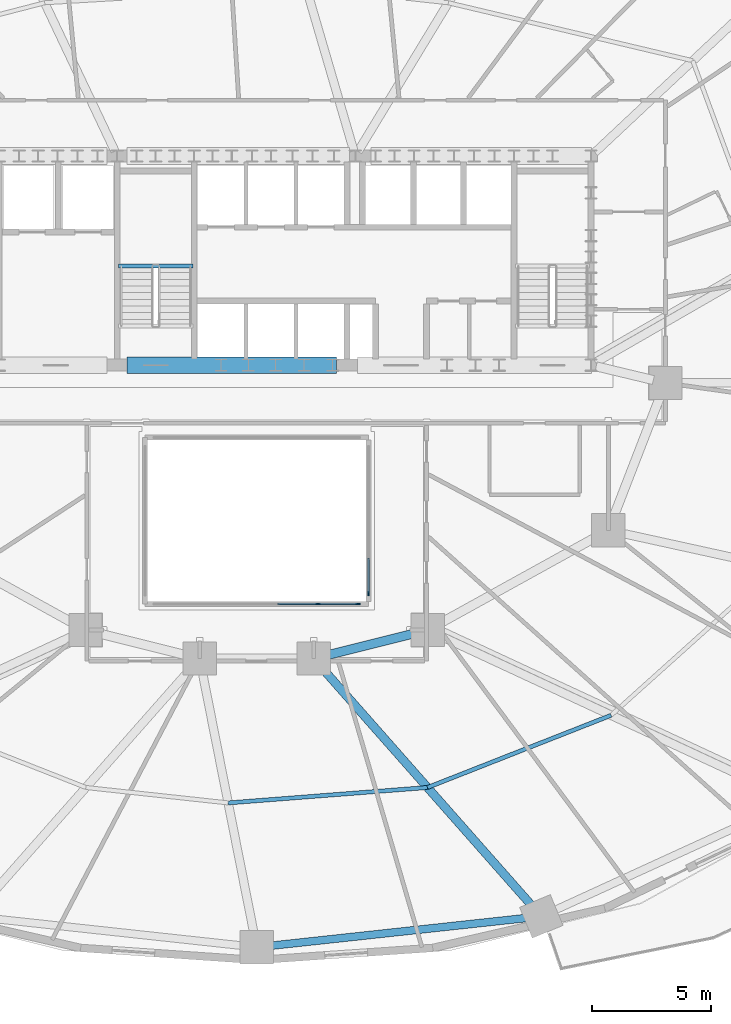
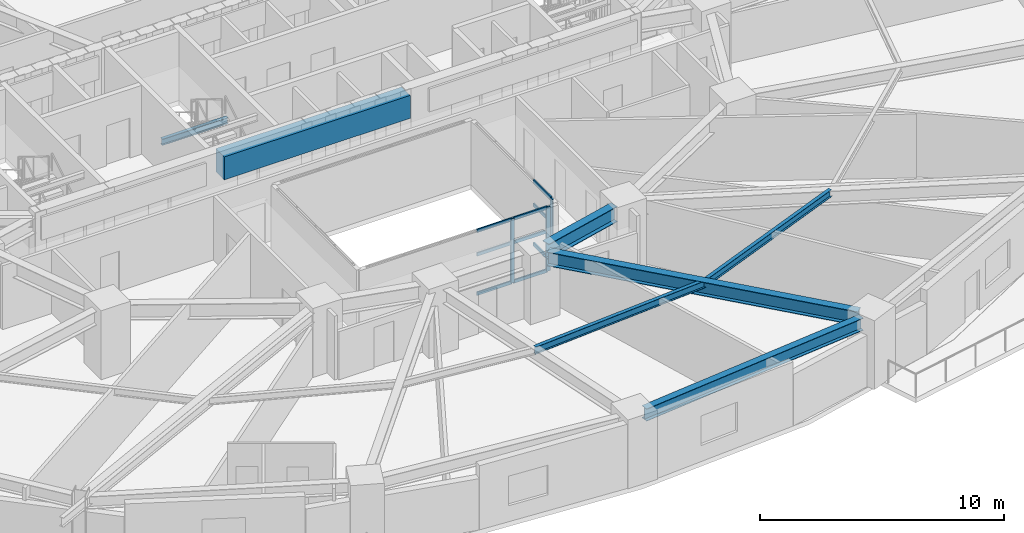
# One storey, part 5 of 17: 12 members, 7 beams, 2 elements without a shape of their own.
"""IFC4 building model written with IfcOpenShell, lengths in metres."""

import ifcopenshell
import ifcopenshell.guid

model = None  # the IFC model being written
_history = None  # IfcOwnerHistory: only IFC2X3 demands one
_inside = {}  # id of a spatial element -> (the spatial element, [elements in it])
_under = {}  # id of a project, library or spatial element -> (it, [spatial elements below it])
_declared = {}  # id of a project -> (the project, [libraries it declares])
_typed = {}  # id of a type object -> (the type object, [elements of that type])
_made_of = {}  # id of a material, layer set ... -> (it, [elements and type objects made of it])


def new_model(schema):
    """Start an empty IFC model of exactly this schema.

    Asked for "IFC4X3", IfcOpenShell would pick the latest addendum, in which some entities
    have other attributes; the version numbers below select the first issue.
    IFC2X3 requires an IfcOwnerHistory on every rooted entity: one is made here for all.
    """
    global model, _history
    if schema == "IFC4X3":
        model = ifcopenshell.file(schema_version=(4, 3, 0, 0))
    else:
        model = ifcopenshell.file(schema=schema)
    _inside.clear()
    _under.clear()
    _declared.clear()
    _typed.clear()
    _made_of.clear()
    _history = None
    if model.schema == "IFC2X3":
        org = make("IfcOrganization", Name="unknown")
        user = make(
            "IfcPersonAndOrganization",
            ThePerson=make("IfcPerson", FamilyName="unknown"),
            TheOrganization=org,
        )
        app = make(
            "IfcApplication",
            ApplicationDeveloper=org,
            Version="unknown",
            ApplicationFullName="unknown",
            ApplicationIdentifier="unknown",
        )
        _history = make(
            "IfcOwnerHistory",
            OwningUser=user,
            OwningApplication=app,
            ChangeAction="ADDED",
            CreationDate=0,
        )
    return model


def make(cls, **values):
    """One entity of the class cls with the attributes given. An attribute that is None is left unset."""
    return model.create_entity(
        cls, **{name: value for name, value in values.items() if value is not None}
    )


def rooted(cls, **values):
    """An entity with a GlobalId (a new one), such as an element, a storey or a relation."""
    return make(cls, GlobalId=ifcopenshell.guid.new(), OwnerHistory=_history, **values)


def si_unit(unit_type, name, prefix=None):
    """IfcSIUnit, for example si_unit("LENGTHUNIT", "METRE", prefix="MILLI")."""
    return make("IfcSIUnit", UnitType=unit_type, Prefix=prefix, Name=name)


def assignment(units):
    """IfcUnitAssignment: the units of a project."""
    return None if units is None else make("IfcUnitAssignment", Units=units)


def point(xyz):
    """IfcCartesianPoint."""
    return None if xyz is None else make("IfcCartesianPoint", Coordinates=xyz)


def direction(xyz):
    """IfcDirection."""
    return None if xyz is None else make("IfcDirection", DirectionRatios=xyz)


def frame(location, z_axis=None, x_axis=None):
    """IfcAxis2Placement3D, a coordinate frame: its origin and axes. An axis left out is left unset."""
    return make(
        "IfcAxis2Placement3D",
        Location=point(location),
        Axis=direction(z_axis),
        RefDirection=direction(x_axis),
    )


def frame_2d(location, x_axis=None):
    """IfcAxis2Placement2D, a coordinate frame in the plane: its origin and x axis."""
    return make(
        "IfcAxis2Placement2D", Location=point(location), RefDirection=direction(x_axis)
    )


def origin():
    """The frame at (0, 0, 0) with its axes left unset."""
    return frame((0.0, 0.0, 0.0))


def origin_2d():
    """The frame at (0, 0) in the plane with its x axis left unset."""
    return frame_2d((0.0, 0.0))


def place(relative_to, where):
    """IfcLocalPlacement: puts the frame where relative to a parent placement (None: the world)."""
    return make(
        "IfcLocalPlacement", PlacementRelTo=relative_to, RelativePlacement=where
    )


def context(
    kind, dimensions, precision=None, world=None, true_north=None, identifier=None
):
    """IfcGeometricRepresentationContext, for example the 3D "Model" context."""
    return make(
        "IfcGeometricRepresentationContext",
        ContextIdentifier=identifier,
        ContextType=kind,
        CoordinateSpaceDimension=dimensions,
        Precision=precision,
        WorldCoordinateSystem=world,
        TrueNorth=true_north,
    )


def subcontext(parent, identifier, kind, view, scale=None):
    """IfcGeometricRepresentationSubContext, for example "Body" below "Model"."""
    return make(
        "IfcGeometricRepresentationSubContext",
        ContextIdentifier=identifier,
        ContextType=kind,
        ParentContext=parent,
        TargetScale=scale,
        TargetView=view,
    )


def project(units=None, contexts=None):
    """IfcProject with its units and contexts."""
    return rooted(
        "IfcProject",
        Name="project",
        RepresentationContexts=contexts,
        UnitsInContext=assignment(units),
    )


def spatial(cls, under=None, at=None, **own):
    """A site, building, storey or space (cls), placed at a placement, below another one or the project."""
    s = rooted(cls, ObjectPlacement=at, **own)
    if under is not None:
        _under.setdefault(under.id(), (under, []))[1].append(s)
    return s


def profile(cls, at=None, kind="AREA", **sizes):
    """A parametric profile (cls). Its sizes go by their IFC names, for example OverallWidth=200.0."""
    return make(cls, ProfileType=kind, Position=at, **sizes)


def rectangle(**sizes):
    """IfcRectangleProfileDef."""
    return profile("IfcRectangleProfileDef", **sizes)


def i_section(**sizes):
    """IfcIShapeProfileDef."""
    return profile("IfcIShapeProfileDef", **sizes)


def extrude(swept, where, along, depth):
    """IfcExtrudedAreaSolid: the profile swept, set in the frame where, extruded along a direction by depth."""
    return make(
        "IfcExtrudedAreaSolid",
        SweptArea=swept,
        Position=where,
        ExtrudedDirection=direction(along),
        Depth=depth,
    )


def shape(context_of_items, identifier, shape_type, items):
    """IfcShapeRepresentation: the items that make up one representation, for example the "Body"."""
    return make(
        "IfcShapeRepresentation",
        ContextOfItems=context_of_items,
        RepresentationIdentifier=identifier,
        RepresentationType=shape_type,
        Items=items,
    )


def material(Name=None, Category=None):
    """IfcMaterial."""
    return make("IfcMaterial", Name=Name, Category=Category)


def material_profile(
    of_material, cross_section, Name=None, Category=None, Priority=None
):
    """IfcMaterialProfile: a cross section and its material."""
    return make(
        "IfcMaterialProfile",
        Name=Name,
        Material=of_material,
        Profile=cross_section,
        Priority=Priority,
        Category=Category,
    )


def profile_set(profiles, Name=None, composite=None):
    """IfcMaterialProfileSet."""
    return make(
        "IfcMaterialProfileSet",
        Name=Name,
        MaterialProfiles=profiles,
        CompositeProfile=composite,
    )


def made_of(thing, what):
    """Note that an element or type object is made of a material, layer set ...; save() writes the relation."""
    if what is not None:
        _made_of.setdefault(what.id(), (what, []))[1].append(thing)
    return thing


def type_object(cls, material=None, **own):
    """A type object (cls), such as IfcWallType, which elements share."""
    return made_of(rooted(cls, **own), material)


def element(
    cls,
    number,
    at=None,
    inside=None,
    cuts=None,
    type_object=None,
    material=None,
    context=None,
    identifier="Body",
    shape_type=None,
    held_by="IfcProductDefinitionShape",
    body=None,
    shapes=None,
    **own,
):
    """One element of the class cls, such as IfcWall. Its Tag is "e" and its number.

    at: its placement. inside: the storey or other place that contains it. cuts: it is an
    opening in that element (IfcRelVoidsElement). A single representation is given by context,
    identifier, shape_type and body (its items); several are given by shapes. held_by: the class
    of the entity that holds the representations. save() writes the other relations.
    """
    e = rooted(cls, Tag="e%d" % number, ObjectPlacement=at, **own)
    if body is not None:
        shapes = [shape(context, identifier, shape_type, body)]
    if shapes is not None:
        e.Representation = make(held_by, Representations=shapes)
    if inside is not None:
        _inside.setdefault(inside.id(), (inside, []))[1].append(e)
    if cuts is not None:
        rooted(
            "IfcRelVoidsElement", RelatingBuildingElement=cuts, RelatedOpeningElement=e
        )
    if type_object is not None:
        _typed.setdefault(type_object.id(), (type_object, []))[1].append(e)
    return made_of(e, material)


def aggregate(whole, parts):
    """IfcRelAggregates: a whole, such as a stair, and the parts it consists of."""
    return rooted("IfcRelAggregates", RelatingObject=whole, RelatedObjects=parts)


def save(model, path):
    """Write the relations noted so far, then the file.

    IfcRelAggregates (storeys below a building ...), IfcRelContainedInSpatialStructure (elements
    in a storey), IfcRelDefinesByType, IfcRelAssociatesMaterial and IfcRelDeclares: one each for
    every whole, place, type object, material and project.
    """
    for whole, parts in _under.values():
        aggregate(whole, parts)
    for where, things in _inside.values():
        rooted(
            "IfcRelContainedInSpatialStructure",
            RelatedElements=things,
            RelatingStructure=where,
        )
    for kind, things in _typed.values():
        rooted("IfcRelDefinesByType", RelatedObjects=things, RelatingType=kind)
    for what, things in _made_of.values():
        rooted("IfcRelAssociatesMaterial", RelatedObjects=things, RelatingMaterial=what)
    for by, libraries in _declared.values():
        rooted("IfcRelDeclares", RelatingContext=by, RelatedDefinitions=libraries)
    model.write(path)


model = new_model("IFC4")

# Units and contexts
model_context = context("Model", 3, precision=1e-05, world=origin(), true_north=direction((0.0, 1.0)))
body_context = subcontext(model_context, "Body", "Model", "MODEL_VIEW")
ifc_project = project(units=[si_unit("LENGTHUNIT", "METRE"), si_unit("AREAUNIT", "SQUARE_METRE"), si_unit("VOLUMEUNIT", "CUBIC_METRE"), si_unit("PLANEANGLEUNIT", "RADIAN"), si_unit("MASSUNIT", "GRAM", prefix="KILO")], contexts=[model_context])

# Site, building, storey
site_placement = place(None, origin())
site = spatial("IfcSite", under=ifc_project, at=site_placement, CompositionType="ELEMENT")
building_placement = place(site_placement, origin())
building = spatial("IfcBuilding", under=site, at=building_placement, Name="Haldorwick Loom Tower", CompositionType="ELEMENT")
storey_placement = place(building_placement, frame((0.0, 0.0, 65.39990234375)))
storey = spatial("IfcBuildingStorey", under=building, at=storey_placement, Name="L17", CompositionType="ELEMENT", Elevation=65.39990234375)

# Curtain wall, members
ifc_material_1 = material(Name="Thermally Broken Anodized Aluminium Curtain Wall Framing", Category="aluminium")
curtain_wall_type = type_object("IfcCurtainWallType", Name="ARC-CW-03", PredefinedType="NOTDEFINED", material=ifc_material_1)
curtain_wall_1_placement = place(storey_placement, origin())
curtain_wall_1 = element("IfcCurtainWall", 1, at=curtain_wall_1_placement, inside=storey, type_object=curtain_wall_type, Name="L17 Atrium Glazed Screen S", PredefinedType="NOTDEFINED")
ifc_material_profile_1 = material_profile(ifc_material_1, rectangle(XDim=0.06591796875, YDim=0.18505859375, at=origin_2d()), Name="ALU_MUL_66X185", Category="aluminium")
ifc_profile_set_1 = profile_set([ifc_material_profile_1], Name="Thermally Broken Anodized Aluminium Curtain Wall Framing")
member_type_1 = type_object("IfcMemberType", Name="ARC-CWM-03", PredefinedType="MULLION", material=ifc_profile_set_1)
member_1_placement = place(storey_placement, frame((40.26708984375, 16.699951171875, 0.0), z_axis=(0.0, 0.0, 1.0), x_axis=(0.0, -1.0, 0.0)))
member_1 = element("IfcMember", 2, at=member_1_placement, type_object=member_type_1, Name="CW-03 mullion 1", PredefinedType="MULLION", context=body_context, shape_type="SweptSolid", body=[
    extrude(rectangle(XDim=0.06591796875, YDim=0.18505859375, at=origin_2d()), origin(), (0.0, 0.0, 1.0), 3.210205078125),
])
member_2_placement = place(storey_placement, frame((38.580078125, 16.699951171875, 0.0), z_axis=(0.0, 0.0, 1.0), x_axis=(0.0, -1.0, 0.0)))
member_2 = element("IfcMember", 3, at=member_2_placement, type_object=member_type_1, Name="CW-03 mullion 2", PredefinedType="MULLION", context=body_context, shape_type="SweptSolid", body=[
    extrude(rectangle(XDim=0.06591796875, YDim=0.18505859375, at=origin_2d()), origin(), (0.0, 0.0, 1.0), 3.210205078125),
])

# Curtain wall, member
curtain_wall_2_placement = place(storey_placement, origin())
curtain_wall_2 = element("IfcCurtainWall", 4, at=curtain_wall_2_placement, inside=storey, type_object=curtain_wall_type, Name="L17 Atrium Glazed Screen E", PredefinedType="NOTDEFINED")
member_3_placement = place(storey_placement, frame((40.699951171875, 17.133056640625, 0.0), z_axis=(0.0, 0.0, 1.0), x_axis=(1.0, 0.0, 0.0)))
member_3 = element("IfcMember", 5, at=member_3_placement, type_object=member_type_1, Name="CW-03 mullion 5", PredefinedType="MULLION", context=body_context, shape_type="SweptSolid", body=[
    extrude(rectangle(XDim=0.06591796875, YDim=0.18505859375, at=origin_2d()), origin(), (0.0, 0.0, 1.0), 3.210205078125),
])

# Member
ifc_material_profile_2 = material_profile(ifc_material_1, rectangle(XDim=0.06591796875, YDim=0.1650390625, at=origin_2d()), Name="ALU_TRN_66X165", Category="aluminium")
ifc_profile_set_2 = profile_set([ifc_material_profile_2], Name="Thermally Broken Anodized Aluminium Curtain Wall Framing")
member_type_2 = type_object("IfcMemberType", Name="ARC-CWT-03", PredefinedType="USERDEFINED", material=ifc_profile_set_2)
member_4_placement = place(storey_placement, frame((40.23388671875, 16.699951171875, 0.033203125), z_axis=(-1.0, 0.0, 0.0), x_axis=(0.0, -1.0, 0.0)))
member_4 = element("IfcMember", 6, at=member_4_placement, type_object=member_type_2, Name="CW-03 transom 1.1", ObjectType="TRANSOM", PredefinedType="USERDEFINED", context=body_context, shape_type="SweptSolid", body=[
    extrude(rectangle(XDim=0.06591796875, YDim=0.1650390625, at=origin_2d()), origin(), (0.0, 0.0, 1.0), 1.620849609375),
])

member_5_placement = place(storey_placement, frame((40.23388671875, 16.699951171875, 2.0), z_axis=(-1.0, 0.0, 0.0), x_axis=(0.0, -1.0, 0.0)))
member_5 = element("IfcMember", 7, at=member_5_placement, type_object=member_type_2, Name="CW-03 transom 1.2", ObjectType="TRANSOM", PredefinedType="USERDEFINED", context=body_context, shape_type="SweptSolid", body=[
    extrude(rectangle(XDim=0.06591796875, YDim=0.1650390625, at=origin_2d()), origin(), (0.0, 0.0, 1.0), 1.620849609375),
])

member_6_placement = place(storey_placement, frame((40.23388671875, 16.699951171875, 3.177001953125), z_axis=(-1.0, 0.0, 0.0), x_axis=(0.0, -1.0, 0.0)))
member_6 = element("IfcMember", 8, at=member_6_placement, type_object=member_type_2, Name="CW-03 transom 1.3", ObjectType="TRANSOM", PredefinedType="USERDEFINED", context=body_context, shape_type="SweptSolid", body=[
    extrude(rectangle(XDim=0.06591796875, YDim=0.1650390625, at=origin_2d()), origin(), (0.0, 0.0, 1.0), 1.620849609375),
])

member_7_placement = place(storey_placement, frame((38.547119140625, 16.699951171875, 0.033203125), z_axis=(-1.0, 0.0, 0.0), x_axis=(0.0, -1.0, 0.0)))
member_7 = element("IfcMember", 9, at=member_7_placement, type_object=member_type_2, Name="CW-03 transom 2.1", ObjectType="TRANSOM", PredefinedType="USERDEFINED", context=body_context, shape_type="SweptSolid", body=[
    extrude(rectangle(XDim=0.06591796875, YDim=0.1650390625, at=origin_2d()), origin(), (0.0, 0.0, 1.0), 1.654052734375),
])

member_8_placement = place(storey_placement, frame((38.547119140625, 16.699951171875, 2.0), z_axis=(-1.0, 0.0, 0.0), x_axis=(0.0, -1.0, 0.0)))
member_8 = element("IfcMember", 10, at=member_8_placement, type_object=member_type_2, Name="CW-03 transom 2.2", ObjectType="TRANSOM", PredefinedType="USERDEFINED", context=body_context, shape_type="SweptSolid", body=[
    extrude(rectangle(XDim=0.06591796875, YDim=0.1650390625, at=origin_2d()), origin(), (0.0, 0.0, 1.0), 1.654052734375),
])

member_9_placement = place(storey_placement, frame((38.547119140625, 16.699951171875, 3.177001953125), z_axis=(-1.0, 0.0, 0.0), x_axis=(0.0, -1.0, 0.0)))
member_9 = element("IfcMember", 11, at=member_9_placement, type_object=member_type_2, Name="CW-03 transom 2.3", ObjectType="TRANSOM", PredefinedType="USERDEFINED", context=body_context, shape_type="SweptSolid", body=[
    extrude(rectangle(XDim=0.06591796875, YDim=0.1650390625, at=origin_2d()), origin(), (0.0, 0.0, 1.0), 1.654052734375),
])

aggregate(curtain_wall_1, [member_1, member_2, member_4, member_5, member_6, member_7, member_8, member_9])

member_10_placement = place(storey_placement, frame((40.699951171875, 18.616943359375, 0.033203125), z_axis=(0.0, -1.0, 0.0), x_axis=(1.0, 0.0, 0.0)))
member_10 = element("IfcMember", 12, at=member_10_placement, type_object=member_type_2, Name="CW-03 transom 4.1", ObjectType="TRANSOM", PredefinedType="USERDEFINED", context=body_context, shape_type="SweptSolid", body=[
    extrude(rectangle(XDim=0.06591796875, YDim=0.1650390625, at=origin_2d()), origin(), (0.0, 0.0, 1.0), 1.450927734375),
])

member_11_placement = place(storey_placement, frame((40.699951171875, 18.616943359375, 2.0), z_axis=(0.0, -1.0, 0.0), x_axis=(1.0, 0.0, 0.0)))
member_11 = element("IfcMember", 13, at=member_11_placement, type_object=member_type_2, Name="CW-03 transom 4.2", ObjectType="TRANSOM", PredefinedType="USERDEFINED", context=body_context, shape_type="SweptSolid", body=[
    extrude(rectangle(XDim=0.06591796875, YDim=0.1650390625, at=origin_2d()), origin(), (0.0, 0.0, 1.0), 1.450927734375),
])

member_12_placement = place(storey_placement, frame((40.699951171875, 18.616943359375, 3.177001953125), z_axis=(0.0, -1.0, 0.0), x_axis=(1.0, 0.0, 0.0)))
member_12 = element("IfcMember", 14, at=member_12_placement, type_object=member_type_2, Name="CW-03 transom 4.3", ObjectType="TRANSOM", PredefinedType="USERDEFINED", context=body_context, shape_type="SweptSolid", body=[
    extrude(rectangle(XDim=0.06591796875, YDim=0.1650390625, at=origin_2d()), origin(), (0.0, 0.0, 1.0), 1.450927734375),
])

aggregate(curtain_wall_2, [member_3, member_10, member_11, member_12])

# Beams
ifc_material_2 = material(Name="Concrete C60 (60 MPa)", Category="concrete")
ifc_material_profile_3 = material_profile(ifc_material_2, rectangle(XDim=0.699951171875, YDim=1.14990234375, at=origin_2d()), Name="RC700X1150", Category="concrete")
ifc_profile_set_3 = profile_set([ifc_material_profile_3], Name="Concrete C60 (60 MPa)")
beam_type_1 = type_object("IfcBeamType", Name="STR-BM-CB1150", PredefinedType="LINTEL", material=ifc_profile_set_3)
beam_1_placement = place(storey_placement, frame((30.550048828125, 26.75, 2.635009765625), z_axis=(1.0, 0.0, 0.0), x_axis=(0.0, 1.0, 0.0)))
element("IfcBeam", 15, at=beam_1_placement, inside=storey, type_object=beam_type_1, Name="L17 Core Coupling Beam CB-S2", PredefinedType="LINTEL", context=body_context, shape_type="SweptSolid", body=[
    extrude(rectangle(XDim=0.699951171875, YDim=1.14990234375, at=origin_2d()), origin(), (0.0, 0.0, 1.0), 8.800048828125),
])
ifc_material_3 = material(Name="Steel CSA G40.21 350W", Category="steel")
ifc_material_profile_4 = material_profile(ifc_material_3, i_section(OverallWidth=0.172119140625, OverallDepth=0.35791015625, WebThickness=0.0078125, FlangeThickness=0.01318359375, at=origin_2d()), Name="W360X57", Category="steel")
ifc_profile_set_4 = profile_set([ifc_material_profile_4], Name="Steel CSA G40.21 350W")
beam_type_2 = type_object("IfcBeamType", Name="STR-BM-J360", PredefinedType="JOIST", material=ifc_profile_set_4)
beam_2_placement = place(storey_placement, frame((34.800048828125, 8.324951171875, 3.031005859375), z_axis=(0.99701252039, 0.077240107368, 0.0), x_axis=(-0.077240107368, 0.99701252039, 0.0)))
element("IfcBeam", 16, at=beam_2_placement, inside=storey, type_object=beam_type_2, Name="L17 Mid-Bay Secondary Joist 13", PredefinedType="JOIST", context=body_context, shape_type="SweptSolid", body=[
    extrude(i_section(OverallWidth=0.172119140625, OverallDepth=0.35791015625, WebThickness=0.0078125, FlangeThickness=0.01318359375, at=origin_2d()), origin(), (0.0, 0.0, 1.0), 8.4140625),
])
beam_3_placement = place(storey_placement, frame((43.18896484375, 8.974853515625, 3.031005859375), z_axis=(0.930584838237, 0.366076301941, 0.0), x_axis=(-0.366076301941, 0.930584838237, 0.0)))
element("IfcBeam", 17, at=beam_3_placement, inside=storey, type_object=beam_type_2, Name="L17 Mid-Bay Secondary Joist 14", PredefinedType="JOIST", context=body_context, shape_type="SweptSolid", body=[
    extrude(i_section(OverallWidth=0.172119140625, OverallDepth=0.35791015625, WebThickness=0.0078125, FlangeThickness=0.01318359375, at=origin_2d()), origin(), (0.0, 0.0, 1.0), 8.302490234375),
])
ifc_material_profile_5 = material_profile(ifc_material_3, i_section(OverallWidth=0.324951171875, OverallDepth=0.615966796875, WebThickness=0.013916015625, FlangeThickness=0.021484375, at=origin_2d()), Name="W610X174", Category="steel")
ifc_profile_set_5 = profile_set([ifc_material_profile_5], Name="Steel CSA G40.21 350W")
beam_type_3 = type_object("IfcBeamType", Name="STR-BM-SP610", PredefinedType="SPANDREL", material=ifc_profile_set_5)
beam_4_placement = place(storey_placement, frame((36.51708984375, 2.30615234375, 2.902099609375), z_axis=(0.994164438636, 0.107875247167, 0.0), x_axis=(-0.107875247167, 0.994164438636, 0.0)))
element("IfcBeam", 18, at=beam_4_placement, inside=storey, type_object=beam_type_3, Name="L17 Perimeter Spandrel 13", PredefinedType="SPANDREL", context=body_context, shape_type="SweptSolid", body=[
    extrude(i_section(OverallWidth=0.324951171875, OverallDepth=0.615966796875, WebThickness=0.013916015625, FlangeThickness=0.021484375, at=origin_2d()), origin(), (0.0, 0.0, 1.0), 11.008056640625),
])
ifc_material_profile_6 = material_profile(ifc_material_3, i_section(OverallWidth=0.166015625, OverallDepth=0.31298828125, WebThickness=0.006591796875, FlangeThickness=0.01123046875, at=origin_2d()), Name="W310X45", Category="steel")
ifc_profile_set_6 = profile_set([ifc_material_profile_6], Name="Steel CSA G40.21 350W")
beam_type_4 = type_object("IfcBeamType", Name="STR-BM-STRM", PredefinedType="BEAM", material=ifc_profile_set_6)
beam_5_placement = place(storey_placement, frame((30.18994140625, 30.919921875, 1.36865234375), z_axis=(1.0, 0.0, 0.0), x_axis=(0.0, 1.0, 0.0)))
element("IfcBeam", 19, at=beam_5_placement, inside=storey, type_object=beam_type_4, Name="L17 Stair ST-03 Half-Landing Trimmer 1", PredefinedType="BEAM", context=body_context, shape_type="SweptSolid", body=[
    extrude(i_section(OverallWidth=0.166015625, OverallDepth=0.31298828125, WebThickness=0.006591796875, FlangeThickness=0.01123046875, at=origin_2d()), origin(), (0.0, 0.0, 1.0), 3.1201171875),
])
ifc_material_profile_7 = material_profile(ifc_material_3, i_section(OverallWidth=0.35498046875, OverallDepth=0.695068359375, WebThickness=0.015380859375, FlangeThickness=0.02490234375, at=origin_2d()), Name="W690X217", Category="steel")
ifc_profile_set_7 = profile_set([ifc_material_profile_7], Name="Steel CSA G40.21 350W")
beam_type_5 = type_object("IfcBeamType", Name="STR-BM-W690", PredefinedType="BEAM", material=ifc_profile_set_7)
beam_6_placement = place(storey_placement, frame((38.744140625, 14.01025390625, 2.862548828125), z_axis=(0.661774304332, -0.749703121326, 0.0), x_axis=(0.749703121326, 0.661774304332, 0.0)))
element("IfcBeam", 20, at=beam_6_placement, inside=storey, type_object=beam_type_5, Name="L17 Radial Floor Girder 14", PredefinedType="BEAM", context=body_context, shape_type="SweptSolid", body=[
    extrude(i_section(OverallWidth=0.35498046875, OverallDepth=0.695068359375, WebThickness=0.015380859375, FlangeThickness=0.02490234375, at=origin_2d()), origin(), (0.0, 0.0, 1.0), 13.43310546875),
])
ifc_material_profile_8 = material_profile(ifc_material_3, i_section(OverallWidth=0.381103515625, OverallDepth=0.77294921875, WebThickness=0.0166015625, FlangeThickness=0.027587890625, at=origin_2d()), Name="W760X257", Category="steel")
ifc_profile_set_8 = profile_set([ifc_material_profile_8], Name="Steel CSA G40.21 350W")
beam_type_6 = type_object("IfcBeamType", Name="STR-BM-W760", PredefinedType="BEAM", material=ifc_profile_set_8)
beam_7_placement = place(storey_placement, frame((42.695556640625, 15.473876953125, 2.823486328125), z_axis=(-0.970142500145, -0.242535625036, 0.0), x_axis=(0.242535625036, -0.970142500145, 0.0)))
element("IfcBeam", 21, at=beam_7_placement, inside=storey, type_object=beam_type_6, Name="L17 Inner Ring Girder 4", PredefinedType="BEAM", context=body_context, shape_type="SweptSolid", body=[
    extrude(i_section(OverallWidth=0.381103515625, OverallDepth=0.77294921875, WebThickness=0.0166015625, FlangeThickness=0.027587890625, at=origin_2d()), origin(), (0.0, 0.0, 1.0), 3.90771484375),
])

save(model, "model.ifc")
